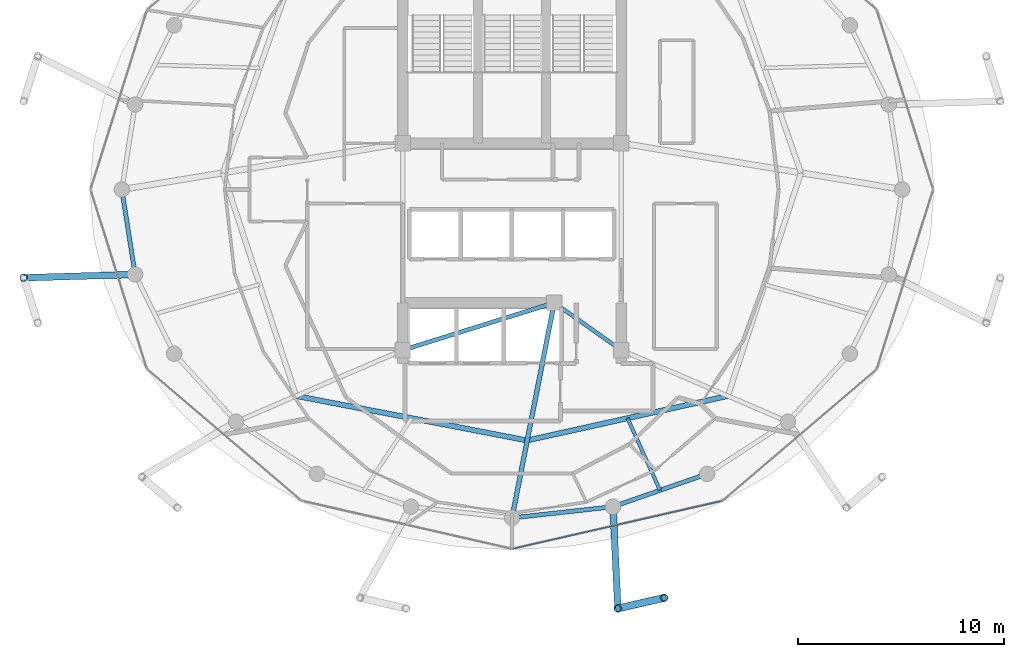
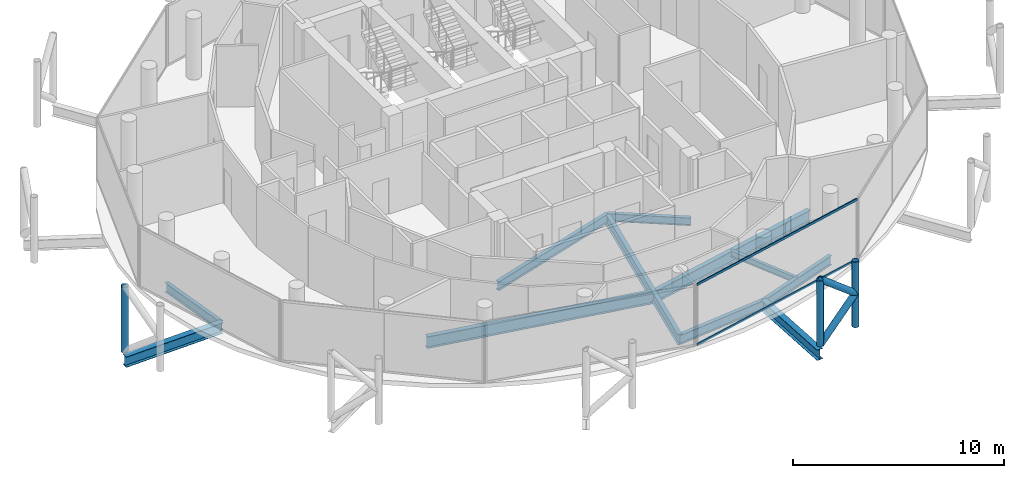
# One storey, part 5 of 24: 11 beams, 7 members, 1 element without a shape of its own.
"""IFC4 building model written with IfcOpenShell, lengths in metres."""

import ifcopenshell
import ifcopenshell.guid

model = None  # the IFC model being written
_history = None  # IfcOwnerHistory: only IFC2X3 demands one
_inside = {}  # id of a spatial element -> (the spatial element, [elements in it])
_under = {}  # id of a project, library or spatial element -> (it, [spatial elements below it])
_declared = {}  # id of a project -> (the project, [libraries it declares])
_typed = {}  # id of a type object -> (the type object, [elements of that type])
_made_of = {}  # id of a material, layer set ... -> (it, [elements and type objects made of it])


def new_model(schema):
    """Start an empty IFC model of exactly this schema.

    Asked for "IFC4X3", IfcOpenShell would pick the latest addendum, in which some entities
    have other attributes; the version numbers below select the first issue.
    IFC2X3 requires an IfcOwnerHistory on every rooted entity: one is made here for all.
    """
    global model, _history
    if schema == "IFC4X3":
        model = ifcopenshell.file(schema_version=(4, 3, 0, 0))
    else:
        model = ifcopenshell.file(schema=schema)
    _inside.clear()
    _under.clear()
    _declared.clear()
    _typed.clear()
    _made_of.clear()
    _history = None
    if model.schema == "IFC2X3":
        org = make("IfcOrganization", Name="unknown")
        user = make(
            "IfcPersonAndOrganization",
            ThePerson=make("IfcPerson", FamilyName="unknown"),
            TheOrganization=org,
        )
        app = make(
            "IfcApplication",
            ApplicationDeveloper=org,
            Version="unknown",
            ApplicationFullName="unknown",
            ApplicationIdentifier="unknown",
        )
        _history = make(
            "IfcOwnerHistory",
            OwningUser=user,
            OwningApplication=app,
            ChangeAction="ADDED",
            CreationDate=0,
        )
    return model


def make(cls, **values):
    """One entity of the class cls with the attributes given. An attribute that is None is left unset."""
    return model.create_entity(
        cls, **{name: value for name, value in values.items() if value is not None}
    )


def rooted(cls, **values):
    """An entity with a GlobalId (a new one), such as an element, a storey or a relation."""
    return make(cls, GlobalId=ifcopenshell.guid.new(), OwnerHistory=_history, **values)


def si_unit(unit_type, name, prefix=None):
    """IfcSIUnit, for example si_unit("LENGTHUNIT", "METRE", prefix="MILLI")."""
    return make("IfcSIUnit", UnitType=unit_type, Prefix=prefix, Name=name)


def assignment(units):
    """IfcUnitAssignment: the units of a project."""
    return None if units is None else make("IfcUnitAssignment", Units=units)


def point(xyz):
    """IfcCartesianPoint."""
    return None if xyz is None else make("IfcCartesianPoint", Coordinates=xyz)


def direction(xyz):
    """IfcDirection."""
    return None if xyz is None else make("IfcDirection", DirectionRatios=xyz)


def frame(location, z_axis=None, x_axis=None):
    """IfcAxis2Placement3D, a coordinate frame: its origin and axes. An axis left out is left unset."""
    return make(
        "IfcAxis2Placement3D",
        Location=point(location),
        Axis=direction(z_axis),
        RefDirection=direction(x_axis),
    )


def frame_2d(location, x_axis=None):
    """IfcAxis2Placement2D, a coordinate frame in the plane: its origin and x axis."""
    return make(
        "IfcAxis2Placement2D", Location=point(location), RefDirection=direction(x_axis)
    )


def origin():
    """The frame at (0, 0, 0) with its axes left unset."""
    return frame((0.0, 0.0, 0.0))


def origin_2d():
    """The frame at (0, 0) in the plane with its x axis left unset."""
    return frame_2d((0.0, 0.0))


def place(relative_to, where):
    """IfcLocalPlacement: puts the frame where relative to a parent placement (None: the world)."""
    return make(
        "IfcLocalPlacement", PlacementRelTo=relative_to, RelativePlacement=where
    )


def context(
    kind, dimensions, precision=None, world=None, true_north=None, identifier=None
):
    """IfcGeometricRepresentationContext, for example the 3D "Model" context."""
    return make(
        "IfcGeometricRepresentationContext",
        ContextIdentifier=identifier,
        ContextType=kind,
        CoordinateSpaceDimension=dimensions,
        Precision=precision,
        WorldCoordinateSystem=world,
        TrueNorth=true_north,
    )


def subcontext(parent, identifier, kind, view, scale=None):
    """IfcGeometricRepresentationSubContext, for example "Body" below "Model"."""
    return make(
        "IfcGeometricRepresentationSubContext",
        ContextIdentifier=identifier,
        ContextType=kind,
        ParentContext=parent,
        TargetScale=scale,
        TargetView=view,
    )


def project(units=None, contexts=None):
    """IfcProject with its units and contexts."""
    return rooted(
        "IfcProject",
        Name="project",
        RepresentationContexts=contexts,
        UnitsInContext=assignment(units),
    )


def spatial(cls, under=None, at=None, **own):
    """A site, building, storey or space (cls), placed at a placement, below another one or the project."""
    s = rooted(cls, ObjectPlacement=at, **own)
    if under is not None:
        _under.setdefault(under.id(), (under, []))[1].append(s)
    return s


def profile(cls, at=None, kind="AREA", **sizes):
    """A parametric profile (cls). Its sizes go by their IFC names, for example OverallWidth=200.0."""
    return make(cls, ProfileType=kind, Position=at, **sizes)


def hollow_rectangle(**sizes):
    """IfcRectangleHollowProfileDef."""
    return profile("IfcRectangleHollowProfileDef", **sizes)


def hollow_circle(**sizes):
    """IfcCircleHollowProfileDef."""
    return profile("IfcCircleHollowProfileDef", **sizes)


def i_section(**sizes):
    """IfcIShapeProfileDef."""
    return profile("IfcIShapeProfileDef", **sizes)


def extrude(swept, where, along, depth):
    """IfcExtrudedAreaSolid: the profile swept, set in the frame where, extruded along a direction by depth."""
    return make(
        "IfcExtrudedAreaSolid",
        SweptArea=swept,
        Position=where,
        ExtrudedDirection=direction(along),
        Depth=depth,
    )


def shape(context_of_items, identifier, shape_type, items):
    """IfcShapeRepresentation: the items that make up one representation, for example the "Body"."""
    return make(
        "IfcShapeRepresentation",
        ContextOfItems=context_of_items,
        RepresentationIdentifier=identifier,
        RepresentationType=shape_type,
        Items=items,
    )


def material(Name=None, Category=None):
    """IfcMaterial."""
    return make("IfcMaterial", Name=Name, Category=Category)


def layer(
    of_material, thickness, ventilated=None, Name=None, Category=None, Priority=None
):
    """IfcMaterialLayer: one layer of a wall or slab, of a material (None: an air gap)."""
    return make(
        "IfcMaterialLayer",
        Material=of_material,
        LayerThickness=thickness,
        IsVentilated=ventilated,
        Name=Name,
        Category=Category,
        Priority=Priority,
    )


def layer_set(layers, Name=None):
    """IfcMaterialLayerSet."""
    return make("IfcMaterialLayerSet", MaterialLayers=layers, LayerSetName=Name)


def material_profile(
    of_material, cross_section, Name=None, Category=None, Priority=None
):
    """IfcMaterialProfile: a cross section and its material."""
    return make(
        "IfcMaterialProfile",
        Name=Name,
        Material=of_material,
        Profile=cross_section,
        Priority=Priority,
        Category=Category,
    )


def profile_set(profiles, Name=None, composite=None):
    """IfcMaterialProfileSet."""
    return make(
        "IfcMaterialProfileSet",
        Name=Name,
        MaterialProfiles=profiles,
        CompositeProfile=composite,
    )


def made_of(thing, what):
    """Note that an element or type object is made of a material, layer set ...; save() writes the relation."""
    if what is not None:
        _made_of.setdefault(what.id(), (what, []))[1].append(thing)
    return thing


def type_object(cls, material=None, **own):
    """A type object (cls), such as IfcWallType, which elements share."""
    return made_of(rooted(cls, **own), material)


def element(
    cls,
    number,
    at=None,
    inside=None,
    cuts=None,
    type_object=None,
    material=None,
    context=None,
    identifier="Body",
    shape_type=None,
    held_by="IfcProductDefinitionShape",
    body=None,
    shapes=None,
    **own,
):
    """One element of the class cls, such as IfcWall. Its Tag is "e" and its number.

    at: its placement. inside: the storey or other place that contains it. cuts: it is an
    opening in that element (IfcRelVoidsElement). A single representation is given by context,
    identifier, shape_type and body (its items); several are given by shapes. held_by: the class
    of the entity that holds the representations. save() writes the other relations.
    """
    e = rooted(cls, Tag="e%d" % number, ObjectPlacement=at, **own)
    if body is not None:
        shapes = [shape(context, identifier, shape_type, body)]
    if shapes is not None:
        e.Representation = make(held_by, Representations=shapes)
    if inside is not None:
        _inside.setdefault(inside.id(), (inside, []))[1].append(e)
    if cuts is not None:
        rooted(
            "IfcRelVoidsElement", RelatingBuildingElement=cuts, RelatedOpeningElement=e
        )
    if type_object is not None:
        _typed.setdefault(type_object.id(), (type_object, []))[1].append(e)
    return made_of(e, material)


def aggregate(whole, parts):
    """IfcRelAggregates: a whole, such as a stair, and the parts it consists of."""
    return rooted("IfcRelAggregates", RelatingObject=whole, RelatedObjects=parts)


def save(model, path):
    """Write the relations noted so far, then the file.

    IfcRelAggregates (storeys below a building ...), IfcRelContainedInSpatialStructure (elements
    in a storey), IfcRelDefinesByType, IfcRelAssociatesMaterial and IfcRelDeclares: one each for
    every whole, place, type object, material and project.
    """
    for whole, parts in _under.values():
        aggregate(whole, parts)
    for where, things in _inside.values():
        rooted(
            "IfcRelContainedInSpatialStructure",
            RelatedElements=things,
            RelatingStructure=where,
        )
    for kind, things in _typed.values():
        rooted("IfcRelDefinesByType", RelatedObjects=things, RelatingType=kind)
    for what, things in _made_of.values():
        rooted("IfcRelAssociatesMaterial", RelatedObjects=things, RelatingMaterial=what)
    for by, libraries in _declared.values():
        rooted("IfcRelDeclares", RelatingContext=by, RelatedDefinitions=libraries)
    model.write(path)


model = new_model("IFC4")

# Units and contexts
model_context = context("Model", 3, precision=1e-05, world=origin(), true_north=direction((0.0, 1.0)))
body_context = subcontext(model_context, "Body", "Model", "MODEL_VIEW")
ifc_project = project(units=[si_unit("LENGTHUNIT", "METRE"), si_unit("AREAUNIT", "SQUARE_METRE"), si_unit("VOLUMEUNIT", "CUBIC_METRE"), si_unit("PLANEANGLEUNIT", "RADIAN"), si_unit("MASSUNIT", "GRAM", prefix="KILO")], contexts=[model_context])

# Site, building, storey
site_placement = place(None, origin())
site = spatial("IfcSite", under=ifc_project, at=site_placement, CompositionType="ELEMENT")
building_placement = place(site_placement, origin())
building = spatial("IfcBuilding", under=site, at=building_placement, Name="Nuhasar Tower", CompositionType="ELEMENT")
storey_placement = place(building_placement, frame((0.0, 0.0, 286.0)))
storey = spatial("IfcBuildingStorey", under=building, at=storey_placement, Name="L71", CompositionType="ELEMENT", Elevation=286.0)

# Beams
ifc_material_1 = material(Name="Steel S355", Category="steel")
ifc_material_profile_1 = material_profile(ifc_material_1, i_section(OverallWidth=0.25390625, OverallDepth=0.68408203125, WebThickness=0.012451171875, FlangeThickness=0.018798828125, at=origin_2d()), Name="W27X94")
ifc_profile_set_1 = profile_set([ifc_material_profile_1], Name="Steel S355")
beam_type_1 = type_object("IfcBeamType", Name="BM-INRING-W27X94", PredefinedType="BEAM", material=ifc_profile_set_1)
beam_1_placement = place(storey_placement, frame((28.51611328125, 16.77392578125, -0.60205078125), z_axis=(0.981944682954, -0.189168283859, 0.0), x_axis=(0.189168283859, 0.981944682954, 0.0)))
element("IfcBeam", 1, at=beam_1_placement, inside=storey, type_object=beam_type_1, Name="L71 Inner Header Beam 01", PredefinedType="BEAM", context=body_context, shape_type="SweptSolid", body=[
    extrude(i_section(OverallWidth=0.25390625, OverallDepth=0.68408203125, WebThickness=0.012451171875, FlangeThickness=0.018798828125, at=origin_2d()), origin(), (0.0, 0.0, 1.0), 11.42822265625),
])
beam_2_placement = place(storey_placement, frame((39.738037109375, 14.612060546875, -0.60205078125), z_axis=(0.97626927806, 0.216560145726, 0.0), x_axis=(-0.216560145726, 0.97626927806, 0.0)))
element("IfcBeam", 2, at=beam_2_placement, inside=storey, type_object=beam_type_1, Name="L71 Inner Header Beam 02", PredefinedType="BEAM", context=body_context, shape_type="SweptSolid", body=[
    extrude(i_section(OverallWidth=0.25390625, OverallDepth=0.68408203125, WebThickness=0.012451171875, FlangeThickness=0.018798828125, at=origin_2d()), origin(), (0.0, 0.0, 1.0), 9.982666015625),
])
ifc_material_profile_2 = material_profile(ifc_material_1, i_section(OverallWidth=0.1708984375, OverallDepth=0.35205078125, WebThickness=0.0068359375, FlangeThickness=0.009765625, at=origin_2d()), Name="W14X30")
ifc_profile_set_2 = profile_set([ifc_material_profile_2], Name="Steel S355")
beam_type_2 = type_object("IfcBeamType", Name="BM-JST-W14X30", PredefinedType="JOIST", material=ifc_profile_set_2)
beam_3_placement = place(storey_placement, frame((44.611083984375, 15.693115234375, -0.43603515625), z_axis=(0.41089033708, -0.911684776057, 0.0), x_axis=(0.911684776057, 0.41089033708, 0.0)))
element("IfcBeam", 3, at=beam_3_placement, inside=storey, type_object=beam_type_2, Name="L71 Secondary Floor Joist 02", PredefinedType="JOIST", context=body_context, shape_type="SweptSolid", body=[
    extrude(i_section(OverallWidth=0.1708984375, OverallDepth=0.35205078125, WebThickness=0.0068359375, FlangeThickness=0.009765625, at=origin_2d()), origin(), (0.0, 0.0, 1.0), 3.842529296875),
])
ifc_material_profile_3 = material_profile(ifc_material_1, i_section(OverallWidth=0.18994140625, OverallDepth=0.45703125, WebThickness=0.009033203125, FlangeThickness=0.014404296875, at=origin_2d()), Name="W18X50")
ifc_profile_set_3 = profile_set([ifc_material_profile_3], Name="Steel S355")
beam_type_3 = type_object("IfcBeamType", Name="BM-RAD-W18X50", PredefinedType="BEAM", material=ifc_profile_set_3)
beam_4_placement = place(storey_placement, frame((41.050048828125, 21.300048828125, -0.488037109375), z_axis=(0.816265428953, -0.577677028708, 0.0), x_axis=(0.577677028708, 0.816265428953, 0.0)))
element("IfcBeam", 4, at=beam_4_placement, inside=storey, type_object=beam_type_3, Name="L71 Core Ring Girder 2", PredefinedType="BEAM", context=body_context, shape_type="SweptSolid", body=[
    extrude(i_section(OverallWidth=0.18994140625, OverallDepth=0.45703125, WebThickness=0.009033203125, FlangeThickness=0.014404296875, at=origin_2d()), origin(), (0.0, 0.0, 1.0), 3.9814453125),
])
ifc_material_profile_4 = material_profile(ifc_material_1, i_section(OverallWidth=0.208984375, OverallDepth=0.528076171875, WebThickness=0.009521484375, FlangeThickness=0.01318359375, at=origin_2d()), Name="W21X55")
ifc_profile_set_4 = profile_set([ifc_material_profile_4], Name="Steel S355")
beam_type_4 = type_object("IfcBeamType", Name="BM-RAD-W21X55", PredefinedType="BEAM", material=ifc_profile_set_4)
beam_5_placement = place(storey_placement, frame((33.699951171875, 19.0, -0.52392578125), z_axis=(0.954363709454, 0.298646798205, 0.0), x_axis=(-0.298646798205, 0.954363709454, 0.0)))
element("IfcBeam", 5, at=beam_5_placement, inside=storey, type_object=beam_type_4, Name="L71 Core Ring Girder 1", PredefinedType="BEAM", context=body_context, shape_type="SweptSolid", body=[
    extrude(i_section(OverallWidth=0.208984375, OverallDepth=0.528076171875, WebThickness=0.009521484375, FlangeThickness=0.01318359375, at=origin_2d()), origin(), (0.0, 0.0, 1.0), 7.70166015625),
])
ifc_material_profile_5 = material_profile(ifc_material_1, i_section(OverallWidth=0.22900390625, OverallDepth=0.612060546875, WebThickness=0.011962890625, FlangeThickness=0.01953125, at=origin_2d()), Name="W24X84")
ifc_profile_set_5 = profile_set([ifc_material_profile_5], Name="Steel S355")
beam_type_5 = type_object("IfcBeamType", Name="BM-RAD-W24X84", PredefinedType="BEAM", material=ifc_profile_set_5)
beam_6_placement = place(storey_placement, frame((41.050048828125, 21.300048828125, -0.56591796875), z_axis=(-0.192508395576, -0.981295326409, 0.0), x_axis=(0.981295326409, -0.192508395576, 0.0)))
element("IfcBeam", 6, at=beam_6_placement, inside=storey, type_object=beam_type_5, Name="L71 Radial Floor Girder 02", PredefinedType="BEAM", context=body_context, shape_type="SweptSolid", body=[
    extrude(i_section(OverallWidth=0.22900390625, OverallDepth=0.612060546875, WebThickness=0.011962890625, FlangeThickness=0.01953125, at=origin_2d()), origin(), (0.0, 0.0, 1.0), 10.649169921875),
])
ifc_material_profile_6 = material_profile(ifc_material_1, i_section(OverallWidth=0.2099609375, OverallDepth=0.537109375, WebThickness=0.010986328125, FlangeThickness=0.017333984375, at=origin_2d()), Name="W21X68")
ifc_profile_set_6 = profile_set([ifc_material_profile_6], Name="Steel S355")
beam_type_6 = type_object("IfcBeamType", Name="BM-RING-W21X68", PredefinedType="SPANDREL", material=ifc_profile_set_6)
beam_7_placement = place(storey_placement, frame((20.050048828125, 26.800048828125, -0.529052734375), z_axis=(0.154612165232, -0.987975241776, 0.0), x_axis=(0.987975241776, 0.154612165232, 0.0)))
element("IfcBeam", 7, at=beam_7_placement, inside=storey, type_object=beam_type_6, Name="L71 Perimeter Ring Spandrel 13", PredefinedType="SPANDREL", context=body_context, shape_type="SweptSolid", body=[
    extrude(i_section(OverallWidth=0.2099609375, OverallDepth=0.537109375, WebThickness=0.010986328125, FlangeThickness=0.017333984375, at=origin_2d()), origin(), (0.0, 0.0, 1.0), 4.17822265625),
])
beam_8_placement = place(storey_placement, frame((39.0, 10.85009765625, -0.529052734375), z_axis=(0.99392889943, 0.110024283128, 0.0), x_axis=(-0.110024283128, 0.99392889943, 0.0)))
element("IfcBeam", 8, at=beam_8_placement, inside=storey, type_object=beam_type_6, Name="L71 Perimeter Ring Spandrel 19", PredefinedType="SPANDREL", context=body_context, shape_type="SweptSolid", body=[
    extrude(i_section(OverallWidth=0.2099609375, OverallDepth=0.537109375, WebThickness=0.010986328125, FlangeThickness=0.017333984375, at=origin_2d()), origin(), (0.0, 0.0, 1.0), 4.93505859375),
])
beam_9_placement = place(storey_placement, frame((43.905029296875, 11.39306640625, -0.529052734375), z_axis=(0.944214043504, 0.329332415729, 0.0), x_axis=(-0.329332415729, 0.944214043504, 0.0)))
element("IfcBeam", 9, at=beam_9_placement, inside=storey, type_object=beam_type_6, Name="L71 Perimeter Ring Spandrel 20", PredefinedType="SPANDREL", context=body_context, shape_type="SweptSolid", body=[
    extrude(i_section(OverallWidth=0.2099609375, OverallDepth=0.537109375, WebThickness=0.010986328125, FlangeThickness=0.017333984375, at=origin_2d()), origin(), (0.0, 0.0, 1.0), 4.840087890625),
])
ifc_material_profile_7 = material_profile(ifc_material_1, i_section(OverallWidth=0.323974609375, OverallDepth=0.611083984375, WebThickness=0.0126953125, FlangeThickness=0.01904296875, at=origin_2d()), Name="W24X104")
ifc_profile_set_7 = profile_set([ifc_material_profile_7], Name="Steel S355")
beam_type_7 = type_object("IfcBeamType", Name="BM-TIE-W24X104", PredefinedType="BEAM", material=ifc_profile_set_7)
beam_10_placement = place(storey_placement, frame((20.696044921875, 22.672119140625, -0.56494140625), z_axis=(-0.999573346236, -0.029208312065, 0.0), x_axis=(0.029208312065, -0.999573346236, 0.0)))
element("IfcBeam", 10, at=beam_10_placement, inside=storey, type_object=beam_type_7, Name="L71 Exoskeleton Node Tie Beam 07", PredefinedType="BEAM", context=body_context, shape_type="SweptSolid", body=[
    extrude(i_section(OverallWidth=0.323974609375, OverallDepth=0.611083984375, WebThickness=0.0126953125, FlangeThickness=0.01904296875, at=origin_2d()), origin(), (0.0, 0.0, 1.0), 5.416259765625),
])
beam_11_placement = place(storey_placement, frame((43.905029296875, 11.39306640625, -0.56494140625), z_axis=(0.048109027225, -0.998842090372, 0.0), x_axis=(0.998842090372, 0.048109027225, 0.0)))
element("IfcBeam", 11, at=beam_11_placement, inside=storey, type_object=beam_type_7, Name="L71 Exoskeleton Node Tie Beam 10", PredefinedType="BEAM", context=body_context, shape_type="SweptSolid", body=[
    extrude(i_section(OverallWidth=0.323974609375, OverallDepth=0.611083984375, WebThickness=0.0126953125, FlangeThickness=0.01904296875, at=origin_2d()), origin(), (0.0, 0.0, 1.0), 4.94775390625),
])

# Curtain wall, members
ifc_material_2 = material(Name="Aluminium 6063-T6", Category="aluminium")
ifc_layer = layer(ifc_material_2, 0.18994140625)
ifc_layer_set = layer_set([ifc_layer], Name="Aluminium 6063-T6")
curtain_wall_type = type_object("IfcCurtainWallType", Name="CW-Z4-PEN", PredefinedType="NOTDEFINED", material=ifc_layer_set)
curtain_wall_placement = place(storey_placement, origin())
curtain_wall = element("IfcCurtainWall", 12, at=curtain_wall_placement, inside=storey, type_object=curtain_wall_type, Name="L71 Unitised Curtain Wall 10", PredefinedType="NOTDEFINED")
ifc_material_profile_8 = material_profile(ifc_material_2, hollow_rectangle(XDim=0.06005859375, YDim=0.135009765625, WallThickness=0.00439453125, at=origin_2d()), Name="CWT-5")
ifc_profile_set_8 = profile_set([ifc_material_profile_8], Name="Aluminium 6063-T6")
member_type_1 = type_object("IfcMemberType", Name="CW-TRN-S5", PredefinedType="USERDEFINED", material=ifc_profile_set_8)
member_1_placement = place(storey_placement, frame((39.05859375, 9.353271484375, 0.030029296875), z_axis=(0.974843752401, 0.222889341163, 0.0), x_axis=(-0.222889341163, 0.974843752401, 0.0)))
member_1 = element("IfcMember", 13, at=member_1_placement, type_object=member_type_1, Name="CW-Z4 transom 1.1", ObjectType="TRANSOM", PredefinedType="USERDEFINED", context=body_context, shape_type="SweptSolid", body=[
    extrude(hollow_rectangle(XDim=0.06005859375, YDim=0.135009765625, WallThickness=0.00439453125, at=origin_2d()), origin(), (0.0, 0.0, 1.0), 10.3740234375),
])
member_2_placement = place(storey_placement, frame((39.05859375, 9.353271484375, 3.510009765625), z_axis=(0.974843752401, 0.222889341163, 0.0), x_axis=(-0.222889341163, 0.974843752401, 0.0)))
member_2 = element("IfcMember", 14, at=member_2_placement, type_object=member_type_1, Name="CW-Z4 transom 1.2", ObjectType="TRANSOM", PredefinedType="USERDEFINED", context=body_context, shape_type="SweptSolid", body=[
    extrude(hollow_rectangle(XDim=0.06005859375, YDim=0.135009765625, WallThickness=0.00439453125, at=origin_2d()), origin(), (0.0, 0.0, 1.0), 10.3740234375),
])
aggregate(curtain_wall, [member_1, member_2])

# Members
ifc_material_3 = material(Name="Steel S460", Category="steel")
ifc_material_profile_9 = material_profile(ifc_material_3, hollow_circle(Radius=0.177734375, WallThickness=0.015869140625, at=origin_2d()), Name="HSS355.6X15.9")
ifc_profile_set_9 = profile_set([ifc_material_profile_9], Name="Steel S460")
member_type_2 = type_object("IfcMemberType", Name="EXO-BRONZE-356", PredefinedType="BRACE", material=ifc_profile_set_9)
for number, where, z_axis, x_axis, name in (
    (15, (15.281982421875, 22.513916015625, 0.0), (0.0, 0.0, 1.0), (1.0, 0.0, 0.0), "L71 Exoskeleton Chord Column EC-07A"),
    (16, (44.14306640625, 6.450927734375, 0.0), (0.0, 0.0, 1.0), (1.0, 0.0, 0.0), "L71 Exoskeleton Chord Column EC-10A"),
    (17, (46.384033203125, 6.967041015625, 0.0), (0.0, 0.0, 1.0), (1.0, 0.0, 0.0), "L71 Exoskeleton Chord Column EC-10B"),
):
    element("IfcMember", number, at=place(storey_placement, frame(where, z_axis=z_axis, x_axis=x_axis)), inside=storey, type_object=member_type_2, Name=name, PredefinedType="BRACE", context=body_context, shape_type="SweptSolid", body=[
        extrude(hollow_circle(Radius=0.177734375, WallThickness=0.015869140625, at=origin_2d()), origin(), (0.0, 0.0, 1.0), 3.800048828125),
    ])
member_3_placement = place(storey_placement, frame((44.14306640625, 6.450927734375, 0.0), z_axis=(0.751260978137, 0.173021648086, 0.636922642103), x_axis=(-0.224433035437, 0.97448951385, 0.0)))
element("IfcMember", 18, at=member_3_placement, inside=storey, type_object=member_type_2, Name="L71 Bronze Diagrid Brace W1-10", PredefinedType="BRACE", context=body_context, shape_type="SweptSolid", body=[
    extrude(hollow_circle(Radius=0.177734375, WallThickness=0.015869140625, at=origin_2d()), origin(), (0.0, 0.0, 1.0), 2.98291015625),
])
member_4_placement = place(storey_placement, frame((46.384033203125, 6.967041015625, 1.89990234375), z_axis=(-0.751221815951, -0.173012628709, 0.636971281571), x_axis=(0.224433035437, -0.97448951385, 0.0)))
element("IfcMember", 19, at=member_4_placement, inside=storey, type_object=member_type_2, Name="L71 Bronze Diagrid Brace W2-10", PredefinedType="BRACE", context=body_context, shape_type="SweptSolid", body=[
    extrude(hollow_circle(Radius=0.177734375, WallThickness=0.015869140625, at=origin_2d()), origin(), (0.0, 0.0, 1.0), 2.983154296875),
])

save(model, "model.ifc")
